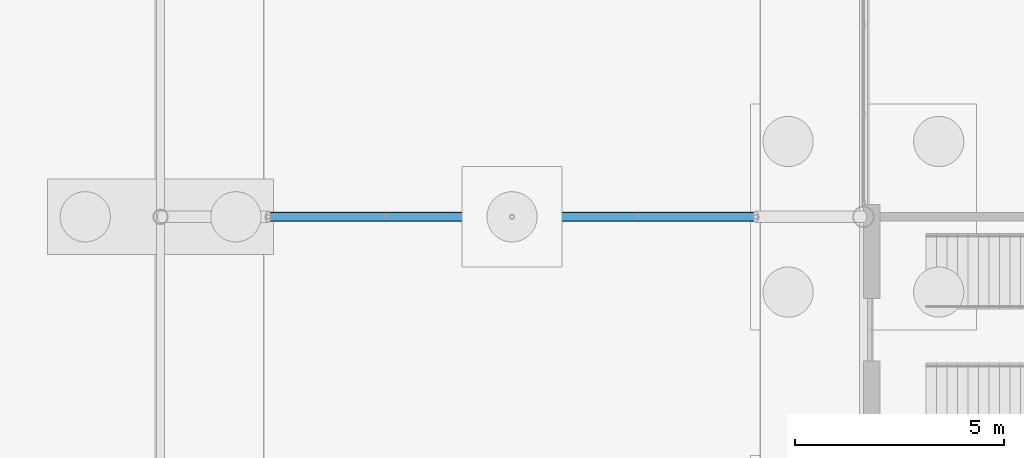
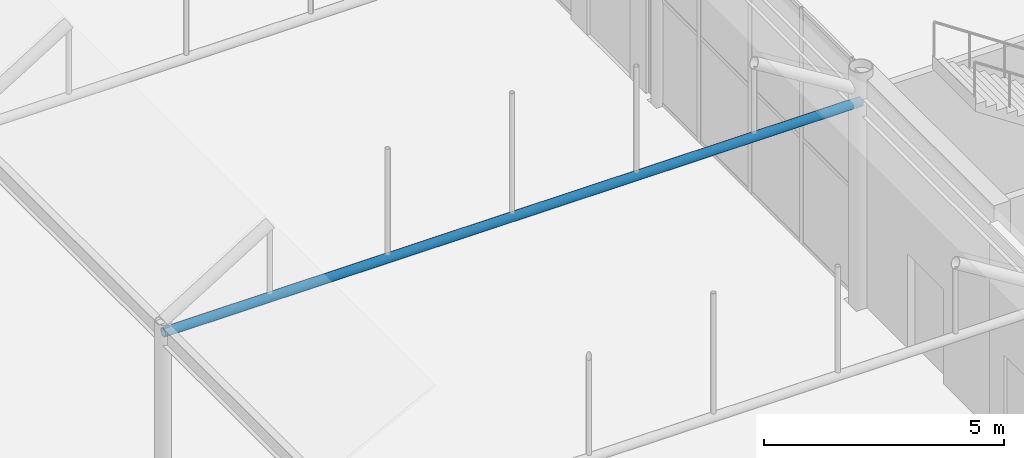
# One storey, part 101 of 212: 1 beam.
"""IFC4 building model written with IfcOpenShell, lengths in metres."""

from ifc_helpers import new_model, si_unit, direction, frame, origin, origin_2d, place, context, subcontext, project, spatial, hollow_circle, extrude, material, material_profile, profile_set, type_object, element, save


model = new_model("IFC4")

# Units and contexts
model_context = context("Model", 3, precision=1e-05, world=origin(), true_north=direction((0.0, 1.0)))
body_context = subcontext(model_context, "Body", "Model", "MODEL_VIEW")
ifc_project = project(units=[si_unit("LENGTHUNIT", "METRE"), si_unit("AREAUNIT", "SQUARE_METRE"), si_unit("VOLUMEUNIT", "CUBIC_METRE"), si_unit("PLANEANGLEUNIT", "RADIAN"), si_unit("MASSUNIT", "GRAM", prefix="KILO")], contexts=[model_context])

# Site, building, storey
site_placement = place(None, origin())
site = spatial("IfcSite", under=ifc_project, at=site_placement, CompositionType="ELEMENT")
building_placement = place(site_placement, origin())
building = spatial("IfcBuilding", under=site, at=building_placement, Name="Catenary Quay Ferry Terminal", CompositionType="ELEMENT")
storey_placement = place(building_placement, origin())
storey = spatial("IfcBuildingStorey", under=building, at=storey_placement, Name="L00", CompositionType="ELEMENT", Elevation=0.0)

# Beam
ifc_material = material(Name="Steel S355", Category="steel")
ifc_material_profile = material_profile(ifc_material, hollow_circle(Radius=0.109619140625, WallThickness=0.010009765625, at=origin_2d()), Name="CHS 219.1x10")
ifc_profile_set = profile_set([ifc_material_profile], Name="Steel S355")
beam_type = type_object("IfcBeamType", Name="TB2 CHS 219.1x10", PredefinedType="BEAM", material=ifc_profile_set)
beam_placement = place(storey_placement, frame((8.39990234375, 109.199951171875, 5.10009765625), z_axis=(1.0, 0.0, 0.0), x_axis=(0.0, 1.0, 0.0)))
element("IfcBeam", 1, at=beam_placement, inside=storey, type_object=beam_type, Name="tie beam FC-06", PredefinedType="BEAM", context=body_context, shape_type="SweptSolid", body=[
    extrude(hollow_circle(Radius=0.109619140625, WallThickness=0.010009765625, at=origin_2d()), origin(), (0.0, 0.0, 1.0), 16.800048828125),
])

save(model, "model.ifc")
